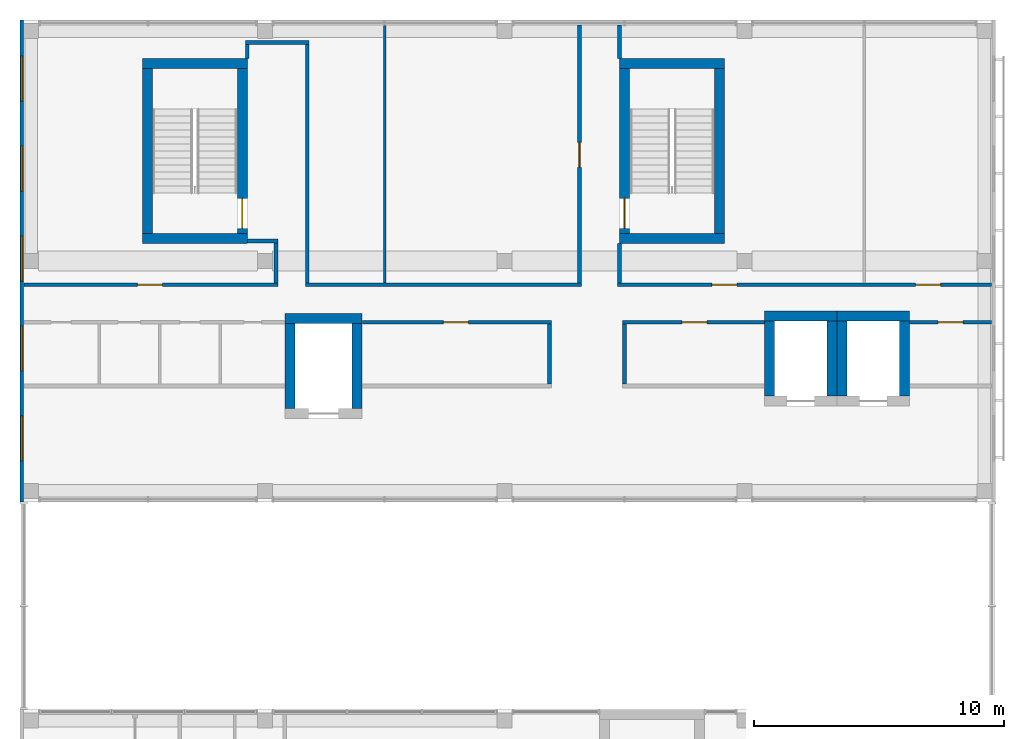
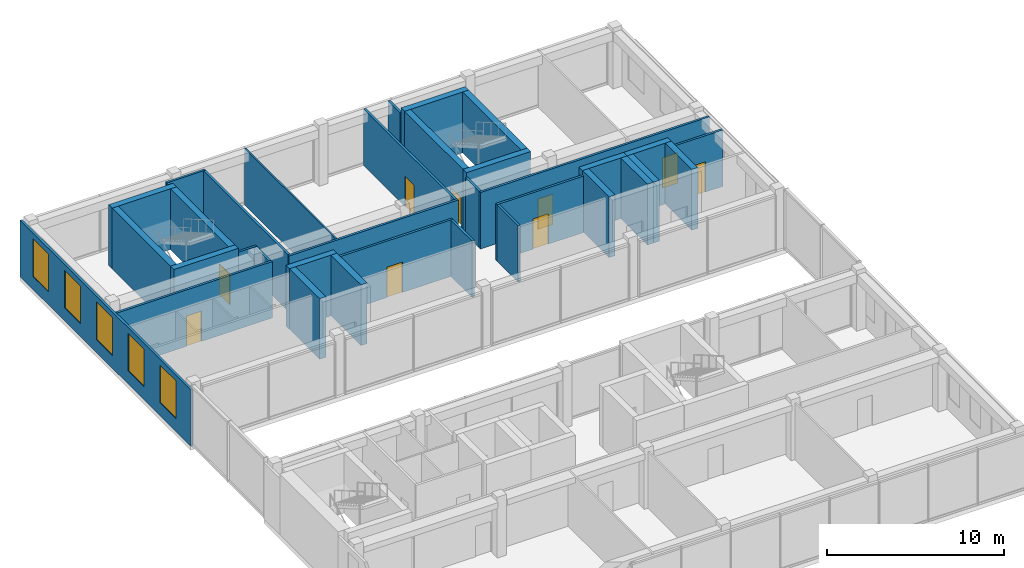
# One storey, part 21 of 28: 35 walls, 9 doors, 5 windows, 14 openings.
"""IFC4 building model written with IfcOpenShell, lengths in metres."""

from ifc_helpers import new_model, si_unit, direction, frame, frame_2d, origin, place, context, subcontext, project, spatial, rectangle, extrude, material, layer, layer_set, layer_usage, type_object, element, fill, save


model = new_model("IFC4")

# Units and contexts
model_context = context("Model", 3, precision=1e-05, world=origin(), true_north=direction((0.0, 1.0)))
body_context = subcontext(model_context, "Body", "Model", "MODEL_VIEW")
ifc_project = project(units=[si_unit("LENGTHUNIT", "METRE"), si_unit("AREAUNIT", "SQUARE_METRE"), si_unit("VOLUMEUNIT", "CUBIC_METRE"), si_unit("PLANEANGLEUNIT", "RADIAN"), si_unit("MASSUNIT", "GRAM", prefix="KILO")], contexts=[model_context])

# Site, building, storey
site_placement = place(None, origin())
site = spatial("IfcSite", under=ifc_project, at=site_placement, CompositionType="ELEMENT")
building_placement = place(site_placement, origin())
building = spatial("IfcBuilding", under=site, at=building_placement, Name="Nzadi Deep Aquarium and Research Tower", CompositionType="ELEMENT")
storey_placement = place(building_placement, frame((0.0, 0.0, 73.89990234375)))
storey = spatial("IfcBuildingStorey", under=building, at=storey_placement, Name="L15", CompositionType="ELEMENT", Elevation=73.89990234375)

# Wall, openings, windows
ifc_material_1 = material(Name="Graphite aluminium shingle", Category="aluminium")
ifc_layer_1 = layer(ifc_material_1, 0.0400390625, Category="cladding")
ifc_material_2 = material(Name="Concrete C35/45", Category="concrete")
ifc_layer_2 = layer(ifc_material_2, 0.06005859375, Category="cladding")
ifc_material_3 = material(Name="Mineral wool insulation")
ifc_layer_3 = layer(ifc_material_3, 0.050048828125, Category="insulation")
ifc_layer_set_1 = layer_set([ifc_layer_1, ifc_layer_2, ifc_layer_3], Name="Graphite aluminium shingle, Concrete C35/45, Mineral wool insulation")
ifc_layer_usage = layer_usage(ifc_layer_set_1, "AXIS2", "POSITIVE", -0.074951171875)
wall_type_1 = type_object("IfcWallType", Name="End wall shingle over board-formed concrete 150", PredefinedType="ELEMENTEDWALL", material=ifc_layer_set_1)
wall_1_placement = place(storey_placement, frame((-0.12451171875, 46.449951171875, 0.0), z_axis=(0.0, 0.0, 1.0), x_axis=(0.0, -1.0, 0.0)))
wall_1 = element("IfcWall", 1, at=wall_1_placement, inside=storey, type_object=wall_type_1, material=ifc_layer_usage, Name="End wall blade B west L15", PredefinedType="ELEMENTEDWALL", context=body_context, shape_type="SweptSolid", body=[
    extrude(rectangle(XDim=19.300048828125, YDim=0.14990234375, at=frame_2d((9.64990234375, 0.0))), origin(), (0.0, 0.0, 1.0), 3.900146484375),
])
opening_1_placement = place(wall_1_placement, frame((15.85009765625, 0.0, 0.89990234375)))
opening_1 = element("IfcOpeningElement", 2, at=opening_1_placement, cuts=wall_1, Name="Opening WN01", PredefinedType="OPENING", context=body_context, shape_type="SweptSolid", body=[
    extrude(rectangle(XDim=1.800048828125, YDim=2.60009765625, at=frame_2d((0.89990234375, 1.300048828125))), frame((0.0, 0.0849609375, 0.0), z_axis=(0.0, -1.0, 0.0), x_axis=(1.0, 0.0, 0.0)), (0.0, 0.0, 1.0), 0.169921875),
])
opening_2_placement = place(wall_1_placement, frame((12.25, 0.0, 0.89990234375)))
opening_2 = element("IfcOpeningElement", 3, at=opening_2_placement, cuts=wall_1, Name="Opening WN01", PredefinedType="OPENING", context=body_context, shape_type="SweptSolid", body=[
    extrude(rectangle(XDim=1.800048828125, YDim=2.60009765625, at=frame_2d((0.89990234375, 1.300048828125))), frame((0.0, 0.0849609375, 0.0), z_axis=(0.0, -1.0, 0.0), x_axis=(1.0, 0.0, 0.0)), (0.0, 0.0, 1.0), 0.169921875),
])
opening_3_placement = place(wall_1_placement, frame((8.64990234375, 0.0, 0.89990234375)))
opening_3 = element("IfcOpeningElement", 4, at=opening_3_placement, cuts=wall_1, Name="Opening WN01", PredefinedType="OPENING", context=body_context, shape_type="SweptSolid", body=[
    extrude(rectangle(XDim=1.800048828125, YDim=2.60009765625, at=frame_2d((0.89990234375, 1.300048828125))), frame((0.0, 0.0849609375, 0.0), z_axis=(0.0, -1.0, 0.0), x_axis=(1.0, 0.0, 0.0)), (0.0, 0.0, 1.0), 0.169921875),
])
opening_4_placement = place(wall_1_placement, frame((5.050048828125, 0.0, 0.89990234375)))
opening_4 = element("IfcOpeningElement", 5, at=opening_4_placement, cuts=wall_1, Name="Opening WN01", PredefinedType="OPENING", context=body_context, shape_type="SweptSolid", body=[
    extrude(rectangle(XDim=1.800048828125, YDim=2.60009765625, at=frame_2d((0.89990234375, 1.300048828125))), frame((0.0, 0.0849609375, 0.0), z_axis=(0.0, -1.0, 0.0), x_axis=(1.0, 0.0, 0.0)), (0.0, 0.0, 1.0), 0.169921875),
])
opening_5_placement = place(wall_1_placement, frame((1.449951171875, 0.0, 0.89990234375)))
opening_5 = element("IfcOpeningElement", 6, at=opening_5_placement, cuts=wall_1, Name="Opening WN01", PredefinedType="OPENING", context=body_context, shape_type="SweptSolid", body=[
    extrude(rectangle(XDim=1.800048828125, YDim=2.60009765625, at=frame_2d((0.89990234375, 1.300048828125))), frame((0.0, 0.0849609375, 0.0), z_axis=(0.0, -1.0, 0.0), x_axis=(1.0, 0.0, 0.0)), (0.0, 0.0, 1.0), 0.169921875),
])
ifc_material_4 = material(Name="Aluminium window, sage tint glazing", Category="aluminium")
window_type = type_object("IfcWindowType", Name="Slot window 1800x2600 sill 900", PartitioningType="SINGLE_PANEL", PredefinedType="WINDOW", material=ifc_material_4)
window_1_placement = place(opening_1_placement, origin())
window_1 = element("IfcWindow", 7, at=window_1_placement, inside=storey, type_object=window_type, Name="Slot window L15 BW", OverallHeight=2.60009765625, OverallWidth=1.800048828125, PartitioningType="SINGLE_PANEL", PredefinedType="WINDOW", context=body_context, shape_type="SweptSolid", body=[
    extrude(rectangle(XDim=1.800048828125, YDim=2.60009765625, at=frame_2d((0.89990234375, 1.300048828125))), frame((0.0, 0.030029296875, 0.0), z_axis=(0.0, -1.0, 0.0), x_axis=(1.0, 0.0, 0.0)), (0.0, 0.0, 1.0), 0.06005859375),
])
fill(opening_1, window_1)
window_2_placement = place(opening_2_placement, origin())
window_2 = element("IfcWindow", 8, at=window_2_placement, inside=storey, type_object=window_type, Name="Slot window L15 BW", OverallHeight=2.60009765625, OverallWidth=1.800048828125, PartitioningType="SINGLE_PANEL", PredefinedType="WINDOW", context=body_context, shape_type="SweptSolid", body=[
    extrude(rectangle(XDim=1.800048828125, YDim=2.60009765625, at=frame_2d((0.89990234375, 1.300048828125))), frame((0.0, 0.030029296875, 0.0), z_axis=(0.0, -1.0, 0.0), x_axis=(1.0, 0.0, 0.0)), (0.0, 0.0, 1.0), 0.06005859375),
])
fill(opening_2, window_2)
window_3_placement = place(opening_3_placement, origin())
window_3 = element("IfcWindow", 9, at=window_3_placement, inside=storey, type_object=window_type, Name="Slot window L15 BW", OverallHeight=2.60009765625, OverallWidth=1.800048828125, PartitioningType="SINGLE_PANEL", PredefinedType="WINDOW", context=body_context, shape_type="SweptSolid", body=[
    extrude(rectangle(XDim=1.800048828125, YDim=2.60009765625, at=frame_2d((0.89990234375, 1.300048828125))), frame((0.0, 0.030029296875, 0.0), z_axis=(0.0, -1.0, 0.0), x_axis=(1.0, 0.0, 0.0)), (0.0, 0.0, 1.0), 0.06005859375),
])
fill(opening_3, window_3)
window_4_placement = place(opening_4_placement, origin())
window_4 = element("IfcWindow", 10, at=window_4_placement, inside=storey, type_object=window_type, Name="Slot window L15 BW", OverallHeight=2.60009765625, OverallWidth=1.800048828125, PartitioningType="SINGLE_PANEL", PredefinedType="WINDOW", context=body_context, shape_type="SweptSolid", body=[
    extrude(rectangle(XDim=1.800048828125, YDim=2.60009765625, at=frame_2d((0.89990234375, 1.300048828125))), frame((0.0, 0.030029296875, 0.0), z_axis=(0.0, -1.0, 0.0), x_axis=(1.0, 0.0, 0.0)), (0.0, 0.0, 1.0), 0.06005859375),
])
fill(opening_4, window_4)
window_5_placement = place(opening_5_placement, origin())
window_5 = element("IfcWindow", 11, at=window_5_placement, inside=storey, type_object=window_type, Name="Slot window L15 BW", OverallHeight=2.60009765625, OverallWidth=1.800048828125, PartitioningType="SINGLE_PANEL", PredefinedType="WINDOW", context=body_context, shape_type="SweptSolid", body=[
    extrude(rectangle(XDim=1.800048828125, YDim=2.60009765625, at=frame_2d((0.89990234375, 1.300048828125))), frame((0.0, 0.030029296875, 0.0), z_axis=(0.0, -1.0, 0.0), x_axis=(1.0, 0.0, 0.0)), (0.0, 0.0, 1.0), 0.06005859375),
])
fill(opening_5, window_5)

# Wall
ifc_material_5 = material(Name="Blockwork masonry", Category="masonry")
ifc_layer_4 = layer(ifc_material_5, 0.10009765625)
ifc_layer_set_2 = layer_set([ifc_layer_4], Name="Blockwork masonry")
wall_type_2 = type_object("IfcWallType", Name="Partition 100 EI 30", PredefinedType="PARTITIONING", material=ifc_layer_set_2)
wall_2_placement = place(storey_placement, frame((14.39990234375, 35.925048828125, 0.0), z_axis=(0.0, 0.0, 1.0), x_axis=(0.0, 1.0, 0.0)))
element("IfcWall", 12, at=wall_2_placement, inside=storey, type_object=wall_type_2, Name="W-Z1-L15-P024", PredefinedType="PARTITIONING", context=body_context, shape_type="SweptSolid", body=[
    extrude(rectangle(XDim=10.31884765625, YDim=0.10009765625, at=frame_2d((5.159423828125, 0.0))), origin(), (0.0, 0.0, 1.0), 3.900146484375),
])

# Wall, opening, door
ifc_material_6 = material(Name="Blockwork masonry", Category="masonry")
ifc_layer_5 = layer(ifc_material_6, 0.14990234375)
ifc_layer_set_3 = layer_set([ifc_layer_5], Name="Blockwork masonry")
wall_type_3 = type_object("IfcWallType", Name="Partition 150 EI 60", PredefinedType="PARTITIONING", material=ifc_layer_set_3)
wall_3_placement = place(storey_placement, frame((-0.0439453125, 35.85009765625, 0.0), z_axis=(0.0, 0.0, 1.0), x_axis=(1.0, 0.0, 0.0)))
wall_3 = element("IfcWall", 13, at=wall_3_placement, inside=storey, type_object=wall_type_3, Name="W-Z1-L15-P003", PredefinedType="PARTITIONING", context=body_context, shape_type="SweptSolid", body=[
    extrude(rectangle(XDim=10.1689453125, YDim=0.14990234375, at=frame_2d((5.08447265625, 0.0))), origin(), (0.0, 0.0, 1.0), 3.900146484375),
])
opening_6_placement = place(wall_3_placement, frame((4.5439453125, 0.0, 0.0)))
opening_6 = element("IfcOpeningElement", 14, at=opening_6_placement, cuts=wall_3, Name="Opening D161019", PredefinedType="OPENING", context=body_context, shape_type="SweptSolid", body=[
    extrude(rectangle(XDim=1.0, YDim=2.10009765625, at=frame_2d((0.5, 1.050048828125))), frame((0.0, 0.0849609375, 0.0), z_axis=(0.0, -1.0, 0.0), x_axis=(1.0, 0.0, 0.0)), (0.0, 0.0, 1.0), 0.169921875),
])
ifc_material_7 = material(Name="Fire-rated steel door", Category="steel")
ifc_layer_6 = layer(ifc_material_7, 0.050048828125)
ifc_layer_set_4 = layer_set([ifc_layer_6], Name="Fire-rated steel door")
door_type_1 = type_object("IfcDoorType", Name="Door 1000x2100 EI 60 single", OperationType="SINGLE_SWING_LEFT", PredefinedType="DOOR", material=ifc_layer_set_4)
door_1_placement = place(opening_6_placement, origin())
door_1 = element("IfcDoor", 15, at=door_1_placement, inside=storey, type_object=door_type_1, Name="D161019", OperationType="SINGLE_SWING_LEFT", OverallHeight=2.10009765625, OverallWidth=1.0, PredefinedType="DOOR", context=body_context, shape_type="SweptSolid", body=[
    extrude(rectangle(XDim=1.0, YDim=2.10009765625, at=frame_2d((0.5, 1.050048828125))), frame((0.0, 0.02490234375, 0.0), z_axis=(0.0, -1.0, 0.0), x_axis=(1.0, 0.0, 0.0)), (0.0, 0.0, 1.0), 0.050048828125),
])
fill(opening_6, door_1)

# Walls
wall_4_placement = place(storey_placement, frame((8.89990234375, 44.906005859375, 0.0), z_axis=(0.0, 0.0, 1.0), x_axis=(0.0, 1.0, 0.0)))
element("IfcWall", 16, at=wall_4_placement, inside=storey, type_object=wall_type_3, Name="W-Z1-L15-P014", PredefinedType="PARTITIONING", context=body_context, shape_type="SweptSolid", body=[
    extrude(rectangle(XDim=0.569091796875, YDim=0.14990234375, at=frame_2d((0.28466796875, 0.0))), origin(), (0.0, 0.0, 1.0), 3.900146484375),
])
wall_5_placement = place(storey_placement, frame((8.824951171875, 45.550048828125, 0.0), z_axis=(0.0, 0.0, 1.0), x_axis=(1.0, 0.0, 0.0)))
element("IfcWall", 17, at=wall_5_placement, inside=storey, type_object=wall_type_3, Name="W-Z1-L15-P015", PredefinedType="PARTITIONING", context=body_context, shape_type="SweptSolid", body=[
    extrude(rectangle(XDim=2.550048828125, YDim=0.14990234375, at=frame_2d((1.27490234375, 0.0))), origin(), (0.0, 0.0, 1.0), 3.900146484375),
])
wall_6_placement = place(storey_placement, frame((8.906005859375, 37.60009765625, 0.0), z_axis=(0.0, 0.0, 1.0), x_axis=(1.0, 0.0, 0.0)))
element("IfcWall", 18, at=wall_6_placement, inside=storey, type_object=wall_type_3, Name="W-Z1-L15-P016", PredefinedType="PARTITIONING", context=body_context, shape_type="SweptSolid", body=[
    extrude(rectangle(XDim=1.218994140625, YDim=0.14990234375, at=frame_2d((0.609375, 0.0))), origin(), (0.0, 0.0, 1.0), 3.900146484375),
])
wall_7_placement = place(storey_placement, frame((10.050048828125, 35.925048828125, 0.0), z_axis=(0.0, 0.0, 1.0), x_axis=(0.0, 1.0, 0.0)))
element("IfcWall", 19, at=wall_7_placement, inside=storey, type_object=wall_type_3, Name="W-Z1-L15-P017", PredefinedType="PARTITIONING", context=body_context, shape_type="SweptSolid", body=[
    extrude(rectangle(XDim=1.599853515625, YDim=0.14990234375, at=frame_2d((0.7998046875, 0.0))), origin(), (0.0, 0.0, 1.0), 3.900146484375),
])
wall_8_placement = place(storey_placement, frame((11.22509765625, 35.85009765625, 0.0), z_axis=(0.0, 0.0, 1.0), x_axis=(1.0, 0.0, 0.0)))
element("IfcWall", 20, at=wall_8_placement, inside=storey, type_object=wall_type_3, Name="W-Z1-L15-P019", PredefinedType="PARTITIONING", context=body_context, shape_type="SweptSolid", body=[
    extrude(rectangle(XDim=11.0498046875, YDim=0.14990234375, at=frame_2d((5.52490234375, 0.0))), origin(), (0.0, 0.0, 1.0), 3.900146484375),
])
wall_9_placement = place(storey_placement, frame((11.300048828125, 35.925048828125, 0.0), z_axis=(0.0, 0.0, 1.0), x_axis=(0.0, 1.0, 0.0)))
element("IfcWall", 21, at=wall_9_placement, inside=storey, type_object=wall_type_3, Name="W-Z1-L15-P020", PredefinedType="PARTITIONING", context=body_context, shape_type="SweptSolid", body=[
    extrude(rectangle(XDim=9.550048828125, YDim=0.14990234375, at=frame_2d((4.77490234375, 0.0))), origin(), (0.0, 0.0, 1.0), 3.900146484375),
])

# Wall, opening, door
wall_10_placement = place(storey_placement, frame((13.506103515625, 34.35009765625, 0.0), z_axis=(0.0, 0.0, 1.0), x_axis=(1.0, 0.0, 0.0)))
wall_10 = element("IfcWall", 22, at=wall_10_placement, inside=storey, type_object=wall_type_3, Name="W-Z1-L15-P022", PredefinedType="PARTITIONING", context=body_context, shape_type="SweptSolid", body=[
    extrude(rectangle(XDim=7.56884765625, YDim=0.14990234375, at=frame_2d((3.784423828125, 0.0))), origin(), (0.0, 0.0, 1.0), 3.900146484375),
])
opening_7_placement = place(wall_10_placement, frame((3.243896484375, 0.0, 0.0)))
opening_7 = element("IfcOpeningElement", 23, at=opening_7_placement, cuts=wall_10, Name="Opening D161016", PredefinedType="OPENING", context=body_context, shape_type="SweptSolid", body=[
    extrude(rectangle(XDim=1.0, YDim=2.10009765625, at=frame_2d((0.5, 1.050048828125))), frame((0.0, 0.0849609375, 0.0), z_axis=(0.0, -1.0, 0.0), x_axis=(1.0, 0.0, 0.0)), (0.0, 0.0, 1.0), 0.169921875),
])
door_2_placement = place(opening_7_placement, origin())
door_2 = element("IfcDoor", 24, at=door_2_placement, inside=storey, type_object=door_type_1, Name="D161016", OperationType="SINGLE_SWING_RIGHT", OverallHeight=2.10009765625, OverallWidth=1.0, PredefinedType="DOOR", context=body_context, shape_type="SweptSolid", body=[
    extrude(rectangle(XDim=1.0, YDim=2.10009765625, at=frame_2d((0.5, 1.050048828125))), frame((0.0, 0.02490234375, 0.0), z_axis=(0.0, -1.0, 0.0), x_axis=(1.0, 0.0, 0.0)), (0.0, 0.0, 1.0), 0.050048828125),
])
fill(opening_7, door_2)

# Wall
wall_11_placement = place(storey_placement, frame((21.0, 31.875, 0.0), z_axis=(0.0, 0.0, 1.0), x_axis=(0.0, 1.0, 0.0)))
element("IfcWall", 25, at=wall_11_placement, inside=storey, type_object=wall_type_3, Name="W-Z1-L15-P026", PredefinedType="PARTITIONING", context=body_context, shape_type="SweptSolid", body=[
    extrude(rectangle(XDim=2.39990234375, YDim=0.14990234375, at=frame_2d((1.199951171875, 0.0))), origin(), (0.0, 0.0, 1.0), 3.900146484375),
])

# Wall, opening, door
wall_12_placement = place(storey_placement, frame((22.199951171875, 35.925048828125, 0.0), z_axis=(0.0, 0.0, 1.0), x_axis=(0.0, 1.0, 0.0)))
wall_12 = element("IfcWall", 26, at=wall_12_placement, inside=storey, type_object=wall_type_3, Name="W-Z1-L15-P027", PredefinedType="PARTITIONING", context=body_context, shape_type="SweptSolid", body=[
    extrude(rectangle(XDim=10.31884765625, YDim=0.14990234375, at=frame_2d((5.159423828125, 0.0))), origin(), (0.0, 0.0, 1.0), 3.900146484375),
])
opening_8_placement = place(wall_12_placement, frame((4.625, 0.0, 0.0)))
opening_8 = element("IfcOpeningElement", 27, at=opening_8_placement, cuts=wall_12, Name="Opening D161020", PredefinedType="OPENING", context=body_context, shape_type="SweptSolid", body=[
    extrude(rectangle(XDim=1.0, YDim=2.10009765625, at=frame_2d((0.5, 1.050048828125))), frame((0.0, 0.0849609375, 0.0), z_axis=(0.0, -1.0, 0.0), x_axis=(1.0, 0.0, 0.0)), (0.0, 0.0, 1.0), 0.169921875),
])
door_3_placement = place(opening_8_placement, origin())
door_3 = element("IfcDoor", 28, at=door_3_placement, inside=storey, type_object=door_type_1, Name="D161020", OperationType="SINGLE_SWING_RIGHT", OverallHeight=2.10009765625, OverallWidth=1.0, PredefinedType="DOOR", context=body_context, shape_type="SweptSolid", body=[
    extrude(rectangle(XDim=1.0, YDim=2.10009765625, at=frame_2d((0.5, 1.050048828125))), frame((0.0, 0.02490234375, 0.0), z_axis=(0.0, -1.0, 0.0), x_axis=(1.0, 0.0, 0.0)), (0.0, 0.0, 1.0), 0.050048828125),
])
fill(opening_8, door_3)

# Wall, openings, doors
wall_13_placement = place(storey_placement, frame((23.72509765625, 35.85009765625, 0.0), z_axis=(0.0, 0.0, 1.0), x_axis=(1.0, 0.0, 0.0)))
wall_13 = element("IfcWall", 29, at=wall_13_placement, inside=storey, type_object=wall_type_3, Name="W-Z1-L15-P028", PredefinedType="PARTITIONING", context=body_context, shape_type="SweptSolid", body=[
    extrude(rectangle(XDim=14.968994140625, YDim=0.14990234375, at=frame_2d((7.484375, 0.0))), origin(), (0.0, 0.0, 1.0), 3.900146484375),
])
opening_9_placement = place(wall_13_placement, frame((3.77490234375, 0.0, 0.0)))
opening_9 = element("IfcOpeningElement", 30, at=opening_9_placement, cuts=wall_13, Name="Opening D161021", PredefinedType="OPENING", context=body_context, shape_type="SweptSolid", body=[
    extrude(rectangle(XDim=1.0, YDim=2.10009765625, at=frame_2d((0.5, 1.050048828125))), frame((0.0, 0.0849609375, 0.0), z_axis=(0.0, -1.0, 0.0), x_axis=(1.0, 0.0, 0.0)), (0.0, 0.0, 1.0), 0.169921875),
])
opening_10_placement = place(wall_13_placement, frame((11.925048828125, 0.0, 0.0)))
opening_10 = element("IfcOpeningElement", 31, at=opening_10_placement, cuts=wall_13, Name="Opening D161022", PredefinedType="OPENING", context=body_context, shape_type="SweptSolid", body=[
    extrude(rectangle(XDim=1.0, YDim=2.10009765625, at=frame_2d((0.5, 1.050048828125))), frame((0.0, 0.0849609375, 0.0), z_axis=(0.0, -1.0, 0.0), x_axis=(1.0, 0.0, 0.0)), (0.0, 0.0, 1.0), 0.169921875),
])
door_4_placement = place(opening_9_placement, origin())
door_4 = element("IfcDoor", 32, at=door_4_placement, inside=storey, type_object=door_type_1, Name="D161021", OperationType="SINGLE_SWING_RIGHT", OverallHeight=2.10009765625, OverallWidth=1.0, PredefinedType="DOOR", context=body_context, shape_type="SweptSolid", body=[
    extrude(rectangle(XDim=1.0, YDim=2.10009765625, at=frame_2d((0.5, 1.050048828125))), frame((0.0, 0.02490234375, 0.0), z_axis=(0.0, -1.0, 0.0), x_axis=(1.0, 0.0, 0.0)), (0.0, 0.0, 1.0), 0.050048828125),
])
fill(opening_9, door_4)
door_5_placement = place(opening_10_placement, origin())
door_5 = element("IfcDoor", 33, at=door_5_placement, inside=storey, type_object=door_type_1, Name="D161022", OperationType="SINGLE_SWING_RIGHT", OverallHeight=2.10009765625, OverallWidth=1.0, PredefinedType="DOOR", context=body_context, shape_type="SweptSolid", body=[
    extrude(rectangle(XDim=1.0, YDim=2.10009765625, at=frame_2d((0.5, 1.050048828125))), frame((0.0, 0.02490234375, 0.0), z_axis=(0.0, -1.0, 0.0), x_axis=(1.0, 0.0, 0.0)), (0.0, 0.0, 1.0), 0.050048828125),
])
fill(opening_10, door_5)

# Walls
wall_14_placement = place(storey_placement, frame((23.800048828125, 35.925048828125, 0.0), z_axis=(0.0, 0.0, 1.0), x_axis=(0.0, 1.0, 0.0)))
element("IfcWall", 34, at=wall_14_placement, inside=storey, type_object=wall_type_3, Name="W-Z1-L15-P029", PredefinedType="PARTITIONING", context=body_context, shape_type="SweptSolid", body=[
    extrude(rectangle(XDim=1.56884765625, YDim=0.14990234375, at=frame_2d((0.784423828125, 0.0))), origin(), (0.0, 0.0, 1.0), 3.900146484375),
])
wall_15_placement = place(storey_placement, frame((23.800048828125, 44.906005859375, 0.0), z_axis=(0.0, 0.0, 1.0), x_axis=(0.0, 1.0, 0.0)))
element("IfcWall", 35, at=wall_15_placement, inside=storey, type_object=wall_type_3, Name="W-Z1-L15-P030", PredefinedType="PARTITIONING", context=body_context, shape_type="SweptSolid", body=[
    extrude(rectangle(XDim=1.337890625, YDim=0.14990234375, at=frame_2d((0.6689453125, 0.0))), origin(), (0.0, 0.0, 1.0), 3.900146484375),
])
wall_16_placement = place(storey_placement, frame((24.0, 31.875, 0.0), z_axis=(0.0, 0.0, 1.0), x_axis=(0.0, 1.0, 0.0)))
element("IfcWall", 36, at=wall_16_placement, inside=storey, type_object=wall_type_3, Name="W-Z1-L15-P032", PredefinedType="PARTITIONING", context=body_context, shape_type="SweptSolid", body=[
    extrude(rectangle(XDim=2.39990234375, YDim=0.14990234375, at=frame_2d((1.199951171875, 0.0))), origin(), (0.0, 0.0, 1.0), 3.900146484375),
])

# Wall, opening, door
wall_17_placement = place(storey_placement, frame((23.925048828125, 34.35009765625, 0.0), z_axis=(0.0, 0.0, 1.0), x_axis=(1.0, 0.0, 0.0)))
wall_17 = element("IfcWall", 37, at=wall_17_placement, inside=storey, type_object=wall_type_3, Name="W-Z1-L15-P033", PredefinedType="PARTITIONING", context=body_context, shape_type="SweptSolid", body=[
    extrude(rectangle(XDim=5.6689453125, YDim=0.14990234375, at=frame_2d((2.83447265625, 0.0))), origin(), (0.0, 0.0, 1.0), 3.900146484375),
])
opening_11_placement = place(wall_17_placement, frame((2.375, 0.0, 0.0)))
opening_11 = element("IfcOpeningElement", 38, at=opening_11_placement, cuts=wall_17, Name="Opening D161017", PredefinedType="OPENING", context=body_context, shape_type="SweptSolid", body=[
    extrude(rectangle(XDim=1.0, YDim=2.10009765625, at=frame_2d((0.5, 1.050048828125))), frame((0.0, 0.0849609375, 0.0), z_axis=(0.0, -1.0, 0.0), x_axis=(1.0, 0.0, 0.0)), (0.0, 0.0, 1.0), 0.169921875),
])
door_6_placement = place(opening_11_placement, origin())
door_6 = element("IfcDoor", 39, at=door_6_placement, inside=storey, type_object=door_type_1, Name="D161017", OperationType="SINGLE_SWING_LEFT", OverallHeight=2.10009765625, OverallWidth=1.0, PredefinedType="DOOR", context=body_context, shape_type="SweptSolid", body=[
    extrude(rectangle(XDim=1.0, YDim=2.10009765625, at=frame_2d((0.5, 1.050048828125))), frame((0.0, 0.02490234375, 0.0), z_axis=(0.0, -1.0, 0.0), x_axis=(1.0, 0.0, 0.0)), (0.0, 0.0, 1.0), 0.050048828125),
])
fill(opening_11, door_6)

wall_18_placement = place(storey_placement, frame((35.406005859375, 34.35009765625, 0.0), z_axis=(0.0, 0.0, 1.0), x_axis=(1.0, 0.0, 0.0)))
wall_18 = element("IfcWall", 40, at=wall_18_placement, inside=storey, type_object=wall_type_3, Name="W-Z1-L15-P039", PredefinedType="PARTITIONING", context=body_context, shape_type="SweptSolid", body=[
    extrude(rectangle(XDim=3.2880859375, YDim=0.14990234375, at=frame_2d((1.64404296875, 0.0))), origin(), (0.0, 0.0, 1.0), 3.900146484375),
])
opening_12_placement = place(wall_18_placement, frame((1.14404296875, 0.0, 0.0)))
opening_12 = element("IfcOpeningElement", 41, at=opening_12_placement, cuts=wall_18, Name="Opening D161018", PredefinedType="OPENING", context=body_context, shape_type="SweptSolid", body=[
    extrude(rectangle(XDim=1.0, YDim=2.10009765625, at=frame_2d((0.5, 1.050048828125))), frame((0.0, 0.0849609375, 0.0), z_axis=(0.0, -1.0, 0.0), x_axis=(1.0, 0.0, 0.0)), (0.0, 0.0, 1.0), 0.169921875),
])
door_7_placement = place(opening_12_placement, origin())
door_7 = element("IfcDoor", 42, at=door_7_placement, inside=storey, type_object=door_type_1, Name="D161018", OperationType="SINGLE_SWING_LEFT", OverallHeight=2.10009765625, OverallWidth=1.0, PredefinedType="DOOR", context=body_context, shape_type="SweptSolid", body=[
    extrude(rectangle(XDim=1.0, YDim=2.10009765625, at=frame_2d((0.5, 1.050048828125))), frame((0.0, 0.02490234375, 0.0), z_axis=(0.0, -1.0, 0.0), x_axis=(1.0, 0.0, 0.0)), (0.0, 0.0, 1.0), 0.050048828125),
])
fill(opening_12, door_7)

# Walls
ifc_material_8 = material(Name="Concrete C35/45", Category="concrete")
ifc_layer_7 = layer(ifc_material_8, 0.39990234375)
ifc_layer_set_5 = layer_set([ifc_layer_7], Name="Concrete C35/45")
wall_type_4 = type_object("IfcWallType", Name="RC core wall 400", PredefinedType="SHEAR", material=ifc_layer_set_5)
for number, where, z_axis, x_axis, name in (
    (43, (4.699951171875, 37.699951171875, 0.0), (0.0, 0.0, 1.0), (1.0, 0.0, 0.0), "W-CORE-ST-Z1-NW-L15-S"),
    (44, (4.699951171875, 44.699951171875, 0.0), (0.0, 0.0, 1.0), (1.0, 0.0, 0.0), "W-CORE-ST-Z1-NW-L15-N"),
):
    element("IfcWall", number, at=place(storey_placement, frame(where, z_axis=z_axis, x_axis=x_axis)), inside=storey, type_object=wall_type_4, Name=name, PredefinedType="SHEAR", context=body_context, shape_type="SweptSolid", body=[
        extrude(rectangle(XDim=4.199951171875, YDim=0.39990234375, at=frame_2d((2.10009765625, 0.0))), origin(), (0.0, 0.0, 1.0), 4.2001953125),
    ])
wall_19_placement = place(storey_placement, frame((4.89990234375, 37.89990234375, 0.0), z_axis=(0.0, 0.0, 1.0), x_axis=(0.0, 1.0, 0.0)))
element("IfcWall", 45, at=wall_19_placement, inside=storey, type_object=wall_type_4, Name="W-CORE-ST-Z1-NW-L15-W", PredefinedType="SHEAR", context=body_context, shape_type="SweptSolid", body=[
    extrude(rectangle(XDim=6.60009765625, YDim=0.39990234375, at=frame_2d((3.300048828125, 0.0))), origin(), (0.0, 0.0, 1.0), 4.2001953125),
])

# Wall, opening, door
wall_20_placement = place(storey_placement, frame((8.699951171875, 37.89990234375, 0.0), z_axis=(0.0, 0.0, 1.0), x_axis=(0.0, 1.0, 0.0)))
wall_20 = element("IfcWall", 46, at=wall_20_placement, inside=storey, type_object=wall_type_4, Name="W-CORE-ST-Z1-NW-L15-E", PredefinedType="SHEAR", context=body_context, shape_type="SweptSolid", body=[
    extrude(rectangle(XDim=6.60009765625, YDim=0.39990234375, at=frame_2d((3.300048828125, 0.0))), origin(), (0.0, 0.0, 1.0), 4.2001953125),
])
opening_13_placement = place(wall_20_placement, frame((0.2099609375, 0.0, 0.0)))
opening_13 = element("IfcOpeningElement", 47, at=opening_13_placement, cuts=wall_20, Name="Opening DS-Z1-NW-L15", PredefinedType="OPENING", context=body_context, shape_type="SweptSolid", body=[
    extrude(rectangle(XDim=1.199951171875, YDim=2.10009765625, at=frame_2d((0.60009765625, 1.050048828125))), frame((0.0, 0.2099609375, 0.0), z_axis=(0.0, -1.0, 0.0), x_axis=(1.0, 0.0, 0.0)), (0.0, 0.0, 1.0), 0.419921875),
])
ifc_material_9 = material(Name="Steel, powder coated", Category="steel")
door_type_2 = type_object("IfcDoorType", Name="STAIR DOOR 1200x2100 EI 60", OperationType="SINGLE_SWING_LEFT", PredefinedType="DOOR", material=ifc_material_9)
door_8_placement = place(opening_13_placement, origin())
door_8 = element("IfcDoor", 48, at=door_8_placement, inside=storey, type_object=door_type_2, Name="Stair door ST-Z1-NW L15", OperationType="SINGLE_SWING_RIGHT", OverallHeight=2.10009765625, OverallWidth=1.199951171875, PredefinedType="DOOR", context=body_context, shape_type="SweptSolid", body=[
    extrude(rectangle(XDim=1.199951171875, YDim=2.10009765625, at=frame_2d((0.60009765625, 1.050048828125))), frame((0.0, 0.02490234375, 0.0), z_axis=(0.0, -1.0, 0.0), x_axis=(1.0, 0.0, 0.0)), (0.0, 0.0, 1.0), 0.050048828125),
])
fill(opening_13, door_8)

# Walls
for number, where, z_axis, x_axis, name in (
    (49, (23.800048828125, 37.699951171875, 0.0), (0.0, 0.0, 1.0), (1.0, 0.0, 0.0), "W-CORE-ST-Z1-NE-L15-S"),
    (50, (23.800048828125, 44.699951171875, 0.0), (0.0, 0.0, 1.0), (1.0, 0.0, 0.0), "W-CORE-ST-Z1-NE-L15-N"),
):
    element("IfcWall", number, at=place(storey_placement, frame(where, z_axis=z_axis, x_axis=x_axis)), inside=storey, type_object=wall_type_4, Name=name, PredefinedType="SHEAR", context=body_context, shape_type="SweptSolid", body=[
        extrude(rectangle(XDim=4.199951171875, YDim=0.39990234375, at=frame_2d((2.10009765625, 0.0))), origin(), (0.0, 0.0, 1.0), 4.2001953125),
    ])

# Wall, opening, door
wall_21_placement = place(storey_placement, frame((24.0, 37.89990234375, 0.0), z_axis=(0.0, 0.0, 1.0), x_axis=(0.0, 1.0, 0.0)))
wall_21 = element("IfcWall", 51, at=wall_21_placement, inside=storey, type_object=wall_type_4, Name="W-CORE-ST-Z1-NE-L15-W", PredefinedType="SHEAR", context=body_context, shape_type="SweptSolid", body=[
    extrude(rectangle(XDim=6.60009765625, YDim=0.39990234375, at=frame_2d((3.300048828125, 0.0))), origin(), (0.0, 0.0, 1.0), 4.2001953125),
])
opening_14_placement = place(wall_21_placement, frame((0.2099609375, 0.0, 0.0)))
opening_14 = element("IfcOpeningElement", 52, at=opening_14_placement, cuts=wall_21, Name="Opening DS-Z1-NE-L15", PredefinedType="OPENING", context=body_context, shape_type="SweptSolid", body=[
    extrude(rectangle(XDim=1.199951171875, YDim=2.10009765625, at=frame_2d((0.60009765625, 1.050048828125))), frame((0.0, 0.2099609375, 0.0), z_axis=(0.0, -1.0, 0.0), x_axis=(1.0, 0.0, 0.0)), (0.0, 0.0, 1.0), 0.419921875),
])
door_9_placement = place(opening_14_placement, origin())
door_9 = element("IfcDoor", 53, at=door_9_placement, inside=storey, type_object=door_type_2, Name="Stair door ST-Z1-NE L15", OperationType="SINGLE_SWING_LEFT", OverallHeight=2.10009765625, OverallWidth=1.199951171875, PredefinedType="DOOR", context=body_context, shape_type="SweptSolid", body=[
    extrude(rectangle(XDim=1.199951171875, YDim=2.10009765625, at=frame_2d((0.60009765625, 1.050048828125))), frame((0.0, 0.02490234375, 0.0), z_axis=(0.0, -1.0, 0.0), x_axis=(1.0, 0.0, 0.0)), (0.0, 0.0, 1.0), 0.050048828125),
])
fill(opening_14, door_9)

# Walls
wall_22_placement = place(storey_placement, frame((27.800048828125, 37.89990234375, 0.0), z_axis=(0.0, 0.0, 1.0), x_axis=(0.0, 1.0, 0.0)))
element("IfcWall", 54, at=wall_22_placement, inside=storey, type_object=wall_type_4, Name="W-CORE-ST-Z1-NE-L15-E", PredefinedType="SHEAR", context=body_context, shape_type="SweptSolid", body=[
    extrude(rectangle(XDim=6.60009765625, YDim=0.39990234375, at=frame_2d((3.300048828125, 0.0))), origin(), (0.0, 0.0, 1.0), 4.2001953125),
])
wall_23_placement = place(storey_placement, frame((10.39990234375, 34.5, 0.0), z_axis=(0.0, 0.0, 1.0), x_axis=(1.0, 0.0, 0.0)))
element("IfcWall", 55, at=wall_23_placement, inside=storey, type_object=wall_type_4, Name="W-CORE-FL2-L15-N", PredefinedType="SHEAR", context=body_context, shape_type="SweptSolid", body=[
    extrude(rectangle(XDim=3.10009765625, YDim=0.39990234375, at=frame_2d((1.550048828125, 0.0))), origin(), (0.0, 0.0, 1.0), 4.2001953125),
])
for number, where, z_axis, x_axis, name in (
    (56, (10.60009765625, 30.89990234375, 0.0), (0.0, 0.0, 1.0), (0.0, 1.0, 0.0), "W-CORE-FL2-L15-W"),
    (57, (13.300048828125, 30.89990234375, 0.0), (0.0, 0.0, 1.0), (0.0, 1.0, 0.0), "W-CORE-FL2-L15-E"),
):
    element("IfcWall", number, at=place(storey_placement, frame(where, z_axis=z_axis, x_axis=x_axis)), inside=storey, type_object=wall_type_4, Name=name, PredefinedType="SHEAR", context=body_context, shape_type="SweptSolid", body=[
        extrude(rectangle(XDim=3.400146484375, YDim=0.39990234375, at=frame_2d((1.7001953125, 0.0))), origin(), (0.0, 0.0, 1.0), 4.2001953125),
    ])
wall_24_placement = place(storey_placement, frame((29.60009765625, 34.60009765625, 0.0), z_axis=(0.0, 0.0, 1.0), x_axis=(1.0, 0.0, 0.0)))
element("IfcWall", 58, at=wall_24_placement, inside=storey, type_object=wall_type_4, Name="W-CORE-TL3-L15-N", PredefinedType="SHEAR", context=body_context, shape_type="SweptSolid", body=[
    extrude(rectangle(XDim=2.89990234375, YDim=0.39990234375, at=frame_2d((1.449951171875, 0.0))), origin(), (0.0, 0.0, 1.0), 4.2001953125),
])
for number, where, z_axis, x_axis, name in (
    (59, (29.800048828125, 31.39990234375, 0.0), (0.0, 0.0, 1.0), (0.0, 1.0, 0.0), "W-CORE-TL3-L15-W"),
    (60, (32.300048828125, 31.39990234375, 0.0), (0.0, 0.0, 1.0), (0.0, 1.0, 0.0), "W-CORE-TL3-L15-E"),
):
    element("IfcWall", number, at=place(storey_placement, frame(where, z_axis=z_axis, x_axis=x_axis)), inside=storey, type_object=wall_type_4, Name=name, PredefinedType="SHEAR", context=body_context, shape_type="SweptSolid", body=[
        extrude(rectangle(XDim=3.0, YDim=0.39990234375, at=frame_2d((1.5, 0.0))), origin(), (0.0, 0.0, 1.0), 4.2001953125),
    ])
wall_25_placement = place(storey_placement, frame((32.5, 34.60009765625, 0.0), z_axis=(0.0, 0.0, 1.0), x_axis=(1.0, 0.0, 0.0)))
element("IfcWall", 61, at=wall_25_placement, inside=storey, type_object=wall_type_4, Name="W-CORE-TL4-L15-N", PredefinedType="SHEAR", context=body_context, shape_type="SweptSolid", body=[
    extrude(rectangle(XDim=2.89990234375, YDim=0.39990234375, at=frame_2d((1.449951171875, 0.0))), origin(), (0.0, 0.0, 1.0), 4.2001953125),
])
for number, where, z_axis, x_axis, name in (
    (62, (32.699951171875, 31.39990234375, 0.0), (0.0, 0.0, 1.0), (0.0, 1.0, 0.0), "W-CORE-TL4-L15-W"),
    (63, (35.199951171875, 31.39990234375, 0.0), (0.0, 0.0, 1.0), (0.0, 1.0, 0.0), "W-CORE-TL4-L15-E"),
):
    element("IfcWall", number, at=place(storey_placement, frame(where, z_axis=z_axis, x_axis=x_axis)), inside=storey, type_object=wall_type_4, Name=name, PredefinedType="SHEAR", context=body_context, shape_type="SweptSolid", body=[
        extrude(rectangle(XDim=3.0, YDim=0.39990234375, at=frame_2d((1.5, 0.0))), origin(), (0.0, 0.0, 1.0), 4.2001953125),
    ])

save(model, "model.ifc")
